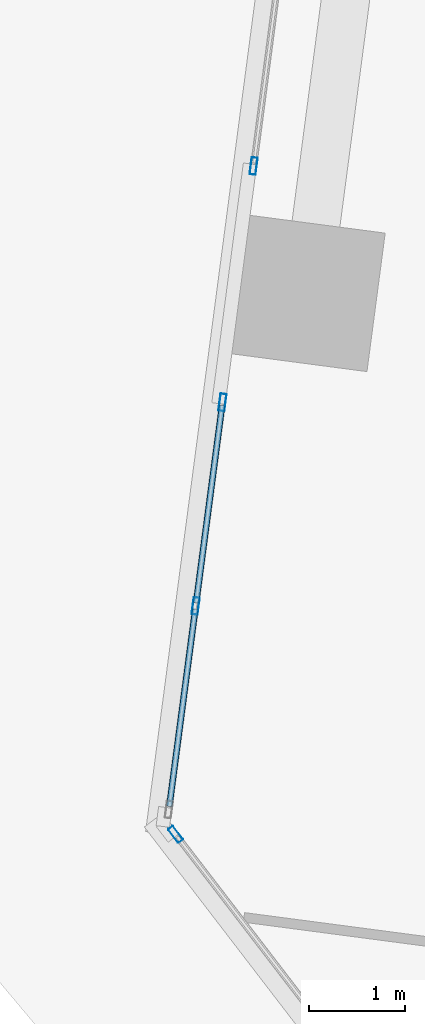
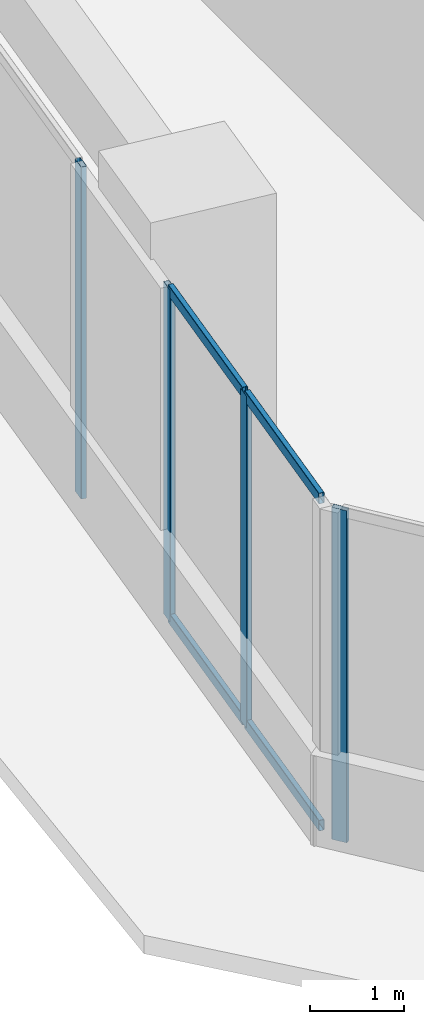
# One storey, part 4 of 24: 8 members, 3 elements without a shape of their own.
"""IFC4 building model written with IfcOpenShell, lengths in metres."""

from ifc_helpers import new_model, si_unit, direction, frame, origin, origin_2d, place, context, subcontext, project, spatial, hollow_rectangle, extrude, source, transform, mapped, material, material_profile, profile_set, type_object, element, aggregate, save


model = new_model("IFC4")

# Units and contexts
model_context = context("Model", 3, precision=1e-05, world=origin(), true_north=direction((0.0, 1.0)))
body_context = subcontext(model_context, "Body", "Model", "MODEL_VIEW")
ifc_project = project(units=[si_unit("LENGTHUNIT", "METRE"), si_unit("AREAUNIT", "SQUARE_METRE"), si_unit("VOLUMEUNIT", "CUBIC_METRE"), si_unit("PLANEANGLEUNIT", "RADIAN"), si_unit("MASSUNIT", "GRAM", prefix="KILO")], contexts=[model_context])

# Site, building, storey
site_placement = place(None, origin())
site = spatial("IfcSite", under=ifc_project, at=site_placement, CompositionType="ELEMENT")
building_placement = place(site_placement, origin())
building = spatial("IfcBuilding", under=site, at=building_placement, Name="Torre Montelarca", CompositionType="ELEMENT")
storey_placement = place(building_placement, frame((0.0, 0.0, 61.60009765625)))
storey = spatial("IfcBuildingStorey", under=building, at=storey_placement, Name="L13", CompositionType="ELEMENT", Elevation=61.60009765625)

# Curtain wall, member
ifc_material_1 = material(Name="Insulated low-E laminated glass", Category="glass")
curtain_wall_type = type_object("IfcCurtainWallType", Name="CW-SYS-Z1", PredefinedType="USERDEFINED", material=ifc_material_1)
curtain_wall_1_placement = place(storey_placement, origin())
curtain_wall_1 = element("IfcCurtainWall", 1, at=curtain_wall_1_placement, inside=storey, type_object=curtain_wall_type, Name="L13 Curtain Wall Run CW-T3-L13-E10-B2", ObjectType="UNITISED GLAZING", PredefinedType="USERDEFINED")
ifc_material_2 = material(Name="Anodised aluminium AA 6063-T6", Category="aluminium")
ifc_material_profile_1 = material_profile(ifc_material_2, hollow_rectangle(XDim=0.06494140625, YDim=0.179931640625, WallThickness=0.00390625, InnerFilletRadius=0.00390625, OuterFilletRadius=0.008056640625, at=origin_2d()), Name="ALU65X180X4", Category="aluminium")
ifc_profile_set_1 = profile_set([ifc_material_profile_1], Name="Anodised aluminium AA 6063-T6")
member_type_1 = type_object("IfcMemberType", Name="CWM-ALU180", PredefinedType="MULLION", material=ifc_profile_set_1)
shared_shape_1 = source(origin(), body_context, "Body", "SweptSolid", [
    extrude(hollow_rectangle(XDim=0.06494140625, YDim=0.179931640625, WallThickness=0.00390625, InnerFilletRadius=0.00390625, OuterFilletRadius=0.008056640625, at=origin_2d()), origin(), (0.0, 0.0, 1.0), 4.31982421875),
])
member_1_placement = place(storey_placement, frame((3.19775390625, 27.588623046875, 0.0), z_axis=(0.0, 0.0, 1.0), x_axis=(0.991445461076, -0.130521636947, 0.0)))
member_1 = element("IfcMember", 2, at=member_1_placement, type_object=member_type_1, Name="CW mullion 3", PredefinedType="MULLION", context=body_context, shape_type="MappedRepresentation", body=[
    mapped(shared_shape_1, transform((0.0, 0.0, 0.0), scale=1.0)),
])
aggregate(curtain_wall_1, [member_1])

# Curtain wall, members
curtain_wall_2_placement = place(storey_placement, origin())
curtain_wall_2 = element("IfcCurtainWall", 3, at=curtain_wall_2_placement, inside=storey, type_object=curtain_wall_type, Name="L13 Curtain Wall Run CW-T3-L13-E10-B3", ObjectType="UNITISED GLAZING", PredefinedType="USERDEFINED")
member_2_placement = place(storey_placement, frame((2.87451171875, 25.134765625, 0.0), z_axis=(0.0, 0.0, 1.0), x_axis=(0.991447218206, -0.130508289054, 0.0)))
member_2 = element("IfcMember", 4, at=member_2_placement, type_object=member_type_1, Name="CW mullion 1", PredefinedType="MULLION", context=body_context, shape_type="MappedRepresentation", body=[
    mapped(shared_shape_1, transform((0.0, 0.0, 0.0), scale=1.0)),
])
member_3_placement = place(storey_placement, frame((2.59619140625, 23.02099609375, 0.0), z_axis=(0.0, 0.0, 1.0), x_axis=(0.991447218206, -0.130508289054, 0.0)))
member_3 = element("IfcMember", 5, at=member_3_placement, type_object=member_type_1, Name="CW mullion 2", PredefinedType="MULLION", context=body_context, shape_type="MappedRepresentation", body=[
    mapped(shared_shape_1, transform((0.0, 0.0, 0.0), scale=1.0)),
])

# Curtain wall, member
curtain_wall_3_placement = place(storey_placement, origin())
curtain_wall_3 = element("IfcCurtainWall", 6, at=curtain_wall_3_placement, inside=storey, type_object=curtain_wall_type, Name="L13 Curtain Wall Run CW-T3-L13-E11-B1", ObjectType="UNITISED GLAZING", PredefinedType="USERDEFINED")
member_4_placement = place(storey_placement, frame((2.38720703125, 20.6494140625, 0.0), z_axis=(0.0, 0.0, 1.0), x_axis=(0.7933461019, 0.608770862147, 0.0)))
member_4 = element("IfcMember", 7, at=member_4_placement, type_object=member_type_1, Name="CW mullion 1", PredefinedType="MULLION", context=body_context, shape_type="MappedRepresentation", body=[
    mapped(shared_shape_1, transform((0.0, 0.0, 0.0), scale=1.0)),
])
aggregate(curtain_wall_3, [member_4])

# Member
ifc_material_profile_2 = material_profile(ifc_material_2, hollow_rectangle(XDim=0.06494140625, YDim=0.139892578125, WallThickness=0.00390625, InnerFilletRadius=0.00390625, OuterFilletRadius=0.008056640625, at=origin_2d()), Name="ALU65X140X4", Category="aluminium")
ifc_profile_set_2 = profile_set([ifc_material_profile_2], Name="Anodised aluminium AA 6063-T6")
member_type_2 = type_object("IfcMemberType", Name="CWT-ALU140", PredefinedType="USERDEFINED", material=ifc_profile_set_2)
shared_shape_2 = source(origin(), body_context, "Body", "SweptSolid", [
    extrude(hollow_rectangle(XDim=0.06494140625, YDim=0.139892578125, WallThickness=0.00390625, InnerFilletRadius=0.00390625, OuterFilletRadius=0.008056640625, at=origin_2d()), origin(), (0.0, 0.0, 1.0), 2.06689453125),
])
member_5_placement = place(storey_placement, frame((2.870361328125, 25.1025390625, 0.032470703125), z_axis=(-0.130515619471, -0.991446253245, 0.0), x_axis=(0.991446253245, -0.130515619471, 0.0)))
member_5 = element("IfcMember", 8, at=member_5_placement, type_object=member_type_2, Name="CW transom 1.1", ObjectType="TRANSOM", PredefinedType="USERDEFINED", context=body_context, shape_type="MappedRepresentation", body=[
    mapped(shared_shape_2, transform((0.0, 0.0, 0.0), scale=1.0)),
])

member_6_placement = place(storey_placement, frame((2.870361328125, 25.1025390625, 4.287353515625), z_axis=(-0.130515619471, -0.991446253245, 0.0), x_axis=(0.991446253245, -0.130515619471, 0.0)))
member_6 = element("IfcMember", 9, at=member_6_placement, type_object=member_type_2, Name="CW transom 1.2", ObjectType="TRANSOM", PredefinedType="USERDEFINED", context=body_context, shape_type="MappedRepresentation", body=[
    mapped(shared_shape_2, transform((0.0, 0.0, 0.0), scale=1.0)),
])

member_7_placement = place(storey_placement, frame((2.592041015625, 22.98876953125, 0.032470703125), z_axis=(-0.130515619471, -0.991446253245, 0.0), x_axis=(0.991446253245, -0.130515619471, 0.0)))
member_7 = element("IfcMember", 10, at=member_7_placement, type_object=member_type_2, Name="CW transom 2.1", ObjectType="TRANSOM", PredefinedType="USERDEFINED", context=body_context, shape_type="MappedRepresentation", body=[
    mapped(shared_shape_2, transform((0.0, 0.0, 0.0), scale=1.0)),
])

member_8_placement = place(storey_placement, frame((2.592041015625, 22.98876953125, 4.287353515625), z_axis=(-0.130515619471, -0.991446253245, 0.0), x_axis=(0.991446253245, -0.130515619471, 0.0)))
member_8 = element("IfcMember", 11, at=member_8_placement, type_object=member_type_2, Name="CW transom 2.2", ObjectType="TRANSOM", PredefinedType="USERDEFINED", context=body_context, shape_type="MappedRepresentation", body=[
    mapped(shared_shape_2, transform((0.0, 0.0, 0.0), scale=1.0)),
])

aggregate(curtain_wall_2, [member_2, member_3, member_5, member_6, member_7, member_8])

save(model, "model.ifc")
